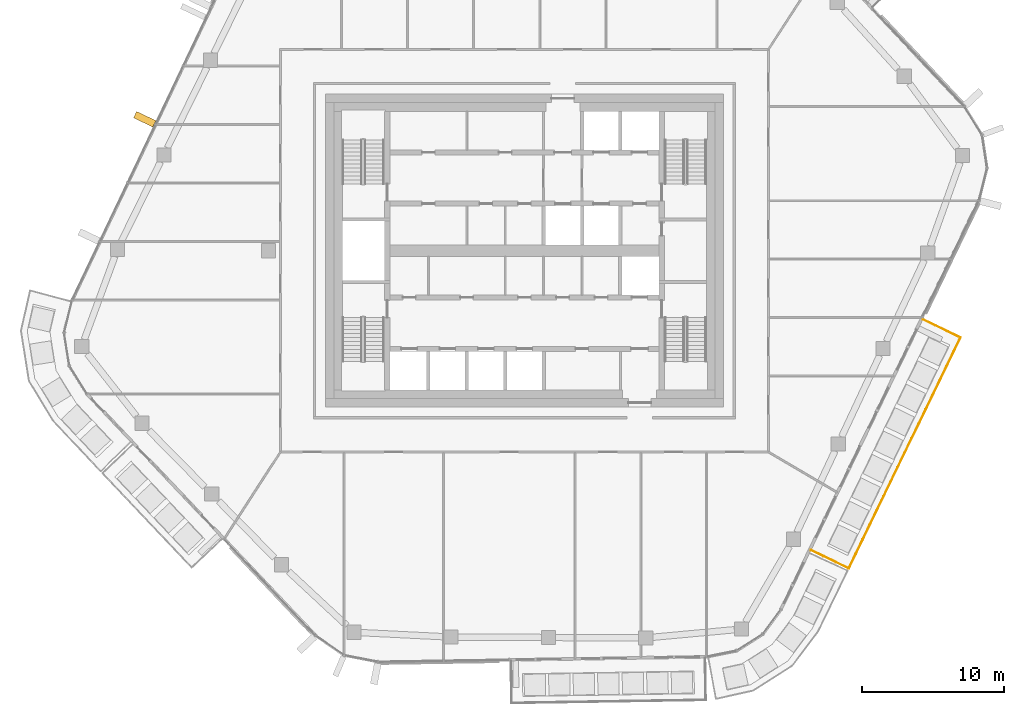
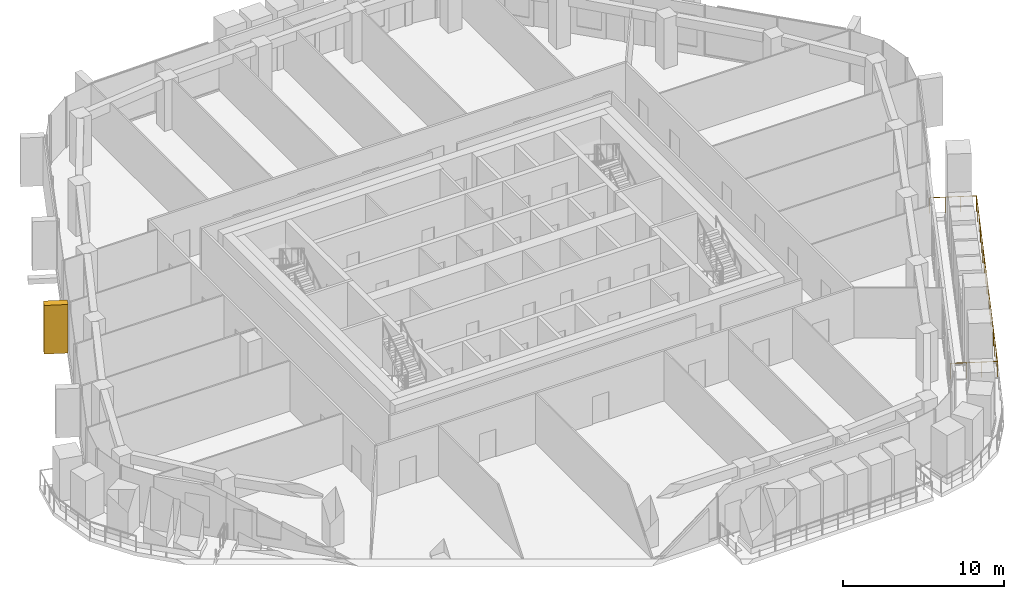
# One storey, part 21 of 24: 1 covering, 1 railing, 1 element without a shape of its own.
"""IFC4 building model written with IfcOpenShell, lengths in metres."""

import ifcopenshell
import ifcopenshell.guid

model = None  # the IFC model being written
_history = None  # IfcOwnerHistory: only IFC2X3 demands one
_inside = {}  # id of a spatial element -> (the spatial element, [elements in it])
_under = {}  # id of a project, library or spatial element -> (it, [spatial elements below it])
_declared = {}  # id of a project -> (the project, [libraries it declares])
_typed = {}  # id of a type object -> (the type object, [elements of that type])
_made_of = {}  # id of a material, layer set ... -> (it, [elements and type objects made of it])


def new_model(schema):
    """Start an empty IFC model of exactly this schema.

    Asked for "IFC4X3", IfcOpenShell would pick the latest addendum, in which some entities
    have other attributes; the version numbers below select the first issue.
    IFC2X3 requires an IfcOwnerHistory on every rooted entity: one is made here for all.
    """
    global model, _history
    if schema == "IFC4X3":
        model = ifcopenshell.file(schema_version=(4, 3, 0, 0))
    else:
        model = ifcopenshell.file(schema=schema)
    _inside.clear()
    _under.clear()
    _declared.clear()
    _typed.clear()
    _made_of.clear()
    _history = None
    if model.schema == "IFC2X3":
        org = make("IfcOrganization", Name="unknown")
        user = make(
            "IfcPersonAndOrganization",
            ThePerson=make("IfcPerson", FamilyName="unknown"),
            TheOrganization=org,
        )
        app = make(
            "IfcApplication",
            ApplicationDeveloper=org,
            Version="unknown",
            ApplicationFullName="unknown",
            ApplicationIdentifier="unknown",
        )
        _history = make(
            "IfcOwnerHistory",
            OwningUser=user,
            OwningApplication=app,
            ChangeAction="ADDED",
            CreationDate=0,
        )
    return model


def make(cls, **values):
    """One entity of the class cls with the attributes given. An attribute that is None is left unset."""
    return model.create_entity(
        cls, **{name: value for name, value in values.items() if value is not None}
    )


def rooted(cls, **values):
    """An entity with a GlobalId (a new one), such as an element, a storey or a relation."""
    return make(cls, GlobalId=ifcopenshell.guid.new(), OwnerHistory=_history, **values)


def si_unit(unit_type, name, prefix=None):
    """IfcSIUnit, for example si_unit("LENGTHUNIT", "METRE", prefix="MILLI")."""
    return make("IfcSIUnit", UnitType=unit_type, Prefix=prefix, Name=name)


def assignment(units):
    """IfcUnitAssignment: the units of a project."""
    return None if units is None else make("IfcUnitAssignment", Units=units)


def point(xyz):
    """IfcCartesianPoint."""
    return None if xyz is None else make("IfcCartesianPoint", Coordinates=xyz)


def direction(xyz):
    """IfcDirection."""
    return None if xyz is None else make("IfcDirection", DirectionRatios=xyz)


def frame(location, z_axis=None, x_axis=None):
    """IfcAxis2Placement3D, a coordinate frame: its origin and axes. An axis left out is left unset."""
    return make(
        "IfcAxis2Placement3D",
        Location=point(location),
        Axis=direction(z_axis),
        RefDirection=direction(x_axis),
    )


def frame_2d(location, x_axis=None):
    """IfcAxis2Placement2D, a coordinate frame in the plane: its origin and x axis."""
    return make(
        "IfcAxis2Placement2D", Location=point(location), RefDirection=direction(x_axis)
    )


def origin():
    """The frame at (0, 0, 0) with its axes left unset."""
    return frame((0.0, 0.0, 0.0))


def origin_2d():
    """The frame at (0, 0) in the plane with its x axis left unset."""
    return frame_2d((0.0, 0.0))


def place(relative_to, where):
    """IfcLocalPlacement: puts the frame where relative to a parent placement (None: the world)."""
    return make(
        "IfcLocalPlacement", PlacementRelTo=relative_to, RelativePlacement=where
    )


def context(
    kind, dimensions, precision=None, world=None, true_north=None, identifier=None
):
    """IfcGeometricRepresentationContext, for example the 3D "Model" context."""
    return make(
        "IfcGeometricRepresentationContext",
        ContextIdentifier=identifier,
        ContextType=kind,
        CoordinateSpaceDimension=dimensions,
        Precision=precision,
        WorldCoordinateSystem=world,
        TrueNorth=true_north,
    )


def subcontext(parent, identifier, kind, view, scale=None):
    """IfcGeometricRepresentationSubContext, for example "Body" below "Model"."""
    return make(
        "IfcGeometricRepresentationSubContext",
        ContextIdentifier=identifier,
        ContextType=kind,
        ParentContext=parent,
        TargetScale=scale,
        TargetView=view,
    )


def project(units=None, contexts=None):
    """IfcProject with its units and contexts."""
    return rooted(
        "IfcProject",
        Name="project",
        RepresentationContexts=contexts,
        UnitsInContext=assignment(units),
    )


def spatial(cls, under=None, at=None, **own):
    """A site, building, storey or space (cls), placed at a placement, below another one or the project."""
    s = rooted(cls, ObjectPlacement=at, **own)
    if under is not None:
        _under.setdefault(under.id(), (under, []))[1].append(s)
    return s


def profile(cls, at=None, kind="AREA", **sizes):
    """A parametric profile (cls). Its sizes go by their IFC names, for example OverallWidth=200.0."""
    return make(cls, ProfileType=kind, Position=at, **sizes)


def rectangle(**sizes):
    """IfcRectangleProfileDef."""
    return profile("IfcRectangleProfileDef", **sizes)


def circle(**sizes):
    """IfcCircleProfileDef."""
    return profile("IfcCircleProfileDef", **sizes)


def extrude(swept, where, along, depth):
    """IfcExtrudedAreaSolid: the profile swept, set in the frame where, extruded along a direction by depth."""
    return make(
        "IfcExtrudedAreaSolid",
        SweptArea=swept,
        Position=where,
        ExtrudedDirection=direction(along),
        Depth=depth,
    )


def shape(context_of_items, identifier, shape_type, items):
    """IfcShapeRepresentation: the items that make up one representation, for example the "Body"."""
    return make(
        "IfcShapeRepresentation",
        ContextOfItems=context_of_items,
        RepresentationIdentifier=identifier,
        RepresentationType=shape_type,
        Items=items,
    )


def material(Name=None, Category=None):
    """IfcMaterial."""
    return make("IfcMaterial", Name=Name, Category=Category)


def layer(
    of_material, thickness, ventilated=None, Name=None, Category=None, Priority=None
):
    """IfcMaterialLayer: one layer of a wall or slab, of a material (None: an air gap)."""
    return make(
        "IfcMaterialLayer",
        Material=of_material,
        LayerThickness=thickness,
        IsVentilated=ventilated,
        Name=Name,
        Category=Category,
        Priority=Priority,
    )


def layer_set(layers, Name=None):
    """IfcMaterialLayerSet."""
    return make("IfcMaterialLayerSet", MaterialLayers=layers, LayerSetName=Name)


def material_profile(
    of_material, cross_section, Name=None, Category=None, Priority=None
):
    """IfcMaterialProfile: a cross section and its material."""
    return make(
        "IfcMaterialProfile",
        Name=Name,
        Material=of_material,
        Profile=cross_section,
        Priority=Priority,
        Category=Category,
    )


def profile_set(profiles, Name=None, composite=None):
    """IfcMaterialProfileSet."""
    return make(
        "IfcMaterialProfileSet",
        Name=Name,
        MaterialProfiles=profiles,
        CompositeProfile=composite,
    )


def made_of(thing, what):
    """Note that an element or type object is made of a material, layer set ...; save() writes the relation."""
    if what is not None:
        _made_of.setdefault(what.id(), (what, []))[1].append(thing)
    return thing


def type_object(cls, material=None, **own):
    """A type object (cls), such as IfcWallType, which elements share."""
    return made_of(rooted(cls, **own), material)


def element(
    cls,
    number,
    at=None,
    inside=None,
    cuts=None,
    type_object=None,
    material=None,
    context=None,
    identifier="Body",
    shape_type=None,
    held_by="IfcProductDefinitionShape",
    body=None,
    shapes=None,
    **own,
):
    """One element of the class cls, such as IfcWall. Its Tag is "e" and its number.

    at: its placement. inside: the storey or other place that contains it. cuts: it is an
    opening in that element (IfcRelVoidsElement). A single representation is given by context,
    identifier, shape_type and body (its items); several are given by shapes. held_by: the class
    of the entity that holds the representations. save() writes the other relations.
    """
    e = rooted(cls, Tag="e%d" % number, ObjectPlacement=at, **own)
    if body is not None:
        shapes = [shape(context, identifier, shape_type, body)]
    if shapes is not None:
        e.Representation = make(held_by, Representations=shapes)
    if inside is not None:
        _inside.setdefault(inside.id(), (inside, []))[1].append(e)
    if cuts is not None:
        rooted(
            "IfcRelVoidsElement", RelatingBuildingElement=cuts, RelatedOpeningElement=e
        )
    if type_object is not None:
        _typed.setdefault(type_object.id(), (type_object, []))[1].append(e)
    return made_of(e, material)


def aggregate(whole, parts):
    """IfcRelAggregates: a whole, such as a stair, and the parts it consists of."""
    return rooted("IfcRelAggregates", RelatingObject=whole, RelatedObjects=parts)


def save(model, path):
    """Write the relations noted so far, then the file.

    IfcRelAggregates (storeys below a building ...), IfcRelContainedInSpatialStructure (elements
    in a storey), IfcRelDefinesByType, IfcRelAssociatesMaterial and IfcRelDeclares: one each for
    every whole, place, type object, material and project.
    """
    for whole, parts in _under.values():
        aggregate(whole, parts)
    for where, things in _inside.values():
        rooted(
            "IfcRelContainedInSpatialStructure",
            RelatedElements=things,
            RelatingStructure=where,
        )
    for kind, things in _typed.values():
        rooted("IfcRelDefinesByType", RelatedObjects=things, RelatingType=kind)
    for what, things in _made_of.values():
        rooted("IfcRelAssociatesMaterial", RelatedObjects=things, RelatingMaterial=what)
    for by, libraries in _declared.values():
        rooted("IfcRelDeclares", RelatingContext=by, RelatedDefinitions=libraries)
    model.write(path)


model = new_model("IFC4")

# Units and contexts
model_context = context("Model", 3, precision=1e-05, world=origin(), true_north=direction((0.0, 1.0)))
body_context = subcontext(model_context, "Body", "Model", "MODEL_VIEW")
ifc_project = project(units=[si_unit("LENGTHUNIT", "METRE"), si_unit("AREAUNIT", "SQUARE_METRE"), si_unit("VOLUMEUNIT", "CUBIC_METRE"), si_unit("PLANEANGLEUNIT", "RADIAN"), si_unit("MASSUNIT", "GRAM", prefix="KILO")], contexts=[model_context])

# Site, building, storey
site_placement = place(None, origin())
site = spatial("IfcSite", under=ifc_project, at=site_placement, CompositionType="ELEMENT")
building_placement = place(site_placement, origin())
building = spatial("IfcBuilding", under=site, at=building_placement, Name="Dongbaek Canopy Tower", CompositionType="ELEMENT")
storey_placement = place(building_placement, frame((0.0, 0.0, 302.60009765625)))
storey = spatial("IfcBuildingStorey", under=building, at=storey_placement, Name="L64", CompositionType="ELEMENT", Elevation=302.60009765625)

# Railing
ifc_material_1 = material(Name="Stainless steel", Category="steel")
railing_type = type_object("IfcRailingType", Name="Balcony balustrade 1200", PredefinedType="BALUSTRADE", material=ifc_material_1)
railing_placement = place(storey_placement, frame((20.15478515625, -21.060546875, 0.0)))
element("IfcRailing", 1, at=railing_placement, inside=storey, type_object=railing_type, Name="Balcony guard L64 5", PredefinedType="BALUSTRADE", context=body_context, shape_type="SweptSolid", body=[
    extrude(circle(Radius=0.02392578125, at=origin_2d()), frame((0.0, 0.0, 1.17578125), z_axis=(0.900002702987, -0.43588431334, 0.0), x_axis=(0.43588431334, 0.900002702987, 0.0)), (0.0, 0.0, 1.0), 2.93994140625),
    extrude(circle(Radius=0.02392578125, at=origin_2d()), frame((2.64599609375, -1.281494140625, 1.17578125), z_axis=(0.435867784056, 0.900010708171, 0.0), x_axis=(-0.900010708171, 0.435867784056, 0.0)), (0.0, 0.0, 1.0), 18.02880859375),
    extrude(circle(Radius=0.02392578125, at=origin_2d()), frame((10.504150390625, 14.944580078125, 1.17578125), z_axis=(-0.900002702987, 0.43588431334, 0.0), x_axis=(-0.43588431334, -0.900002702987, 0.0)), (0.0, 0.0, 1.0), 2.93994140625),
    extrude(circle(Radius=0.02099609375, at=origin_2d()), origin(), (0.0, 0.0, 1.0), 1.15185546875),
    extrude(circle(Radius=0.02099609375, at=origin_2d()), frame((0.882080078125, -0.42724609375, 0.0)), (0.0, 0.0, 1.0), 1.15185546875),
    extrude(circle(Radius=0.02099609375, at=origin_2d()), frame((1.763916015625, -0.854248046875, 0.0)), (0.0, 0.0, 1.0), 1.15185546875),
    extrude(circle(Radius=0.02099609375, at=origin_2d()), frame((2.64599609375, -1.281494140625, 0.0)), (0.0, 0.0, 1.0), 1.15185546875),
    extrude(circle(Radius=0.02099609375, at=origin_2d()), frame((3.13720703125, -0.267333984375, 0.0)), (0.0, 0.0, 1.0), 1.15185546875),
    extrude(circle(Radius=0.02099609375, at=origin_2d()), frame((3.628173828125, 0.746826171875, 0.0)), (0.0, 0.0, 1.0), 1.15185546875),
    extrude(circle(Radius=0.02099609375, at=origin_2d()), frame((4.119384765625, 1.760986328125, 0.0)), (0.0, 0.0, 1.0), 1.15185546875),
    extrude(circle(Radius=0.02099609375, at=origin_2d()), frame((4.610595703125, 2.77490234375, 0.0)), (0.0, 0.0, 1.0), 1.15185546875),
    extrude(circle(Radius=0.02099609375, at=origin_2d()), frame((5.1015625, 3.7890625, 0.0)), (0.0, 0.0, 1.0), 1.15185546875),
    extrude(circle(Radius=0.02099609375, at=origin_2d()), frame((5.5927734375, 4.80322265625, 0.0)), (0.0, 0.0, 1.0), 1.15185546875),
    extrude(circle(Radius=0.02099609375, at=origin_2d()), frame((6.083984375, 5.8173828125, 0.0)), (0.0, 0.0, 1.0), 1.15185546875),
    extrude(circle(Radius=0.02099609375, at=origin_2d()), frame((6.5751953125, 6.83154296875, 0.0)), (0.0, 0.0, 1.0), 1.15185546875),
    extrude(circle(Radius=0.02099609375, at=origin_2d()), frame((7.066162109375, 7.845703125, 0.0)), (0.0, 0.0, 1.0), 1.15185546875),
    extrude(circle(Radius=0.02099609375, at=origin_2d()), frame((7.557373046875, 8.85986328125, 0.0)), (0.0, 0.0, 1.0), 1.15185546875),
    extrude(circle(Radius=0.02099609375, at=origin_2d()), frame((8.048583984375, 9.8740234375, 0.0)), (0.0, 0.0, 1.0), 1.15185546875),
    extrude(circle(Radius=0.02099609375, at=origin_2d()), frame((8.53955078125, 10.88818359375, 0.0)), (0.0, 0.0, 1.0), 1.15185546875),
    extrude(circle(Radius=0.02099609375, at=origin_2d()), frame((9.03076171875, 11.902099609375, 0.0)), (0.0, 0.0, 1.0), 1.15185546875),
    extrude(circle(Radius=0.02099609375, at=origin_2d()), frame((9.52197265625, 12.916259765625, 0.0)), (0.0, 0.0, 1.0), 1.15185546875),
    extrude(circle(Radius=0.02099609375, at=origin_2d()), frame((10.012939453125, 13.930419921875, 0.0)), (0.0, 0.0, 1.0), 1.15185546875),
    extrude(circle(Radius=0.02099609375, at=origin_2d()), frame((10.504150390625, 14.944580078125, 0.0)), (0.0, 0.0, 1.0), 1.15185546875),
    extrude(circle(Radius=0.02099609375, at=origin_2d()), frame((9.6220703125, 15.371826171875, 0.0)), (0.0, 0.0, 1.0), 1.15185546875),
    extrude(circle(Radius=0.02099609375, at=origin_2d()), frame((8.740234375, 15.798828125, 0.0)), (0.0, 0.0, 1.0), 1.15185546875),
    extrude(circle(Radius=0.02099609375, at=origin_2d()), frame((7.858154296875, 16.22607421875, 0.0)), (0.0, 0.0, 1.0), 1.15185546875),
])

# Curtain wall, covering
ifc_material_2 = material(Name="Aluminium 6063-T6 pale anodised", Category="aluminium")
ifc_layer = layer(ifc_material_2, 0.199951171875)
ifc_layer_set = layer_set([ifc_layer], Name="CW-1 unitised tower curtain wall")
curtain_wall_type = type_object("IfcCurtainWallType", Name="CW-1 unitised tower curtain wall", PredefinedType="NOTDEFINED", material=ifc_layer_set)
curtain_wall_placement = place(storey_placement, origin())
curtain_wall = element("IfcCurtainWall", 2, at=curtain_wall_placement, inside=storey, type_object=curtain_wall_type, Name="CW-1 curtain wall F2.1", PredefinedType="NOTDEFINED")
ifc_material_3 = material(Name="Aluminium 6063-T6 pale metal fin", Category="aluminium")
ifc_material_profile = material_profile(ifc_material_3, rectangle(XDim=1.5, YDim=0.5, at=origin_2d()), Name="Fin FN1 500 x 1500 pale metal")
ifc_profile_set = profile_set([ifc_material_profile], Name="Aluminium 6063-T6 pale metal fin")
covering_type = type_object("IfcCoveringType", Name="Fin FN1 500 x 1500 pale metal", PredefinedType="CLADDING", material=ifc_profile_set)
covering_placement = place(storey_placement, frame((-26.699462890625, 9.23974609375, 0.119873046875), z_axis=(0.0, 0.0, 1.0), x_axis=(-0.903236413866, 0.429143310174, 0.0)))
covering = element("IfcCovering", 3, at=covering_placement, type_object=covering_type, Name="Fin F2.1.5", PredefinedType="CLADDING", context=body_context, shape_type="SweptSolid", body=[
    extrude(rectangle(XDim=1.5, YDim=0.5, at=origin_2d()), origin(), (0.0, 0.0, 1.0), 3.699951171875),
])
aggregate(curtain_wall, [covering])

save(model, "model.ifc")
